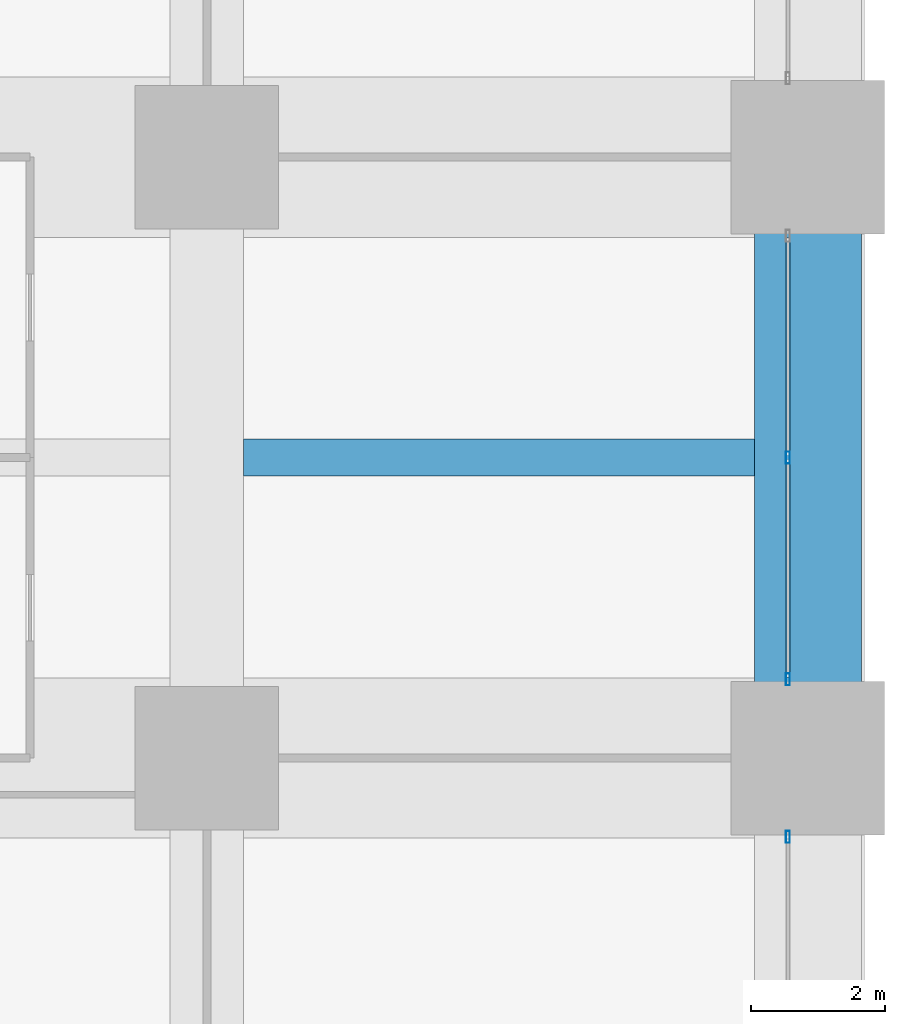
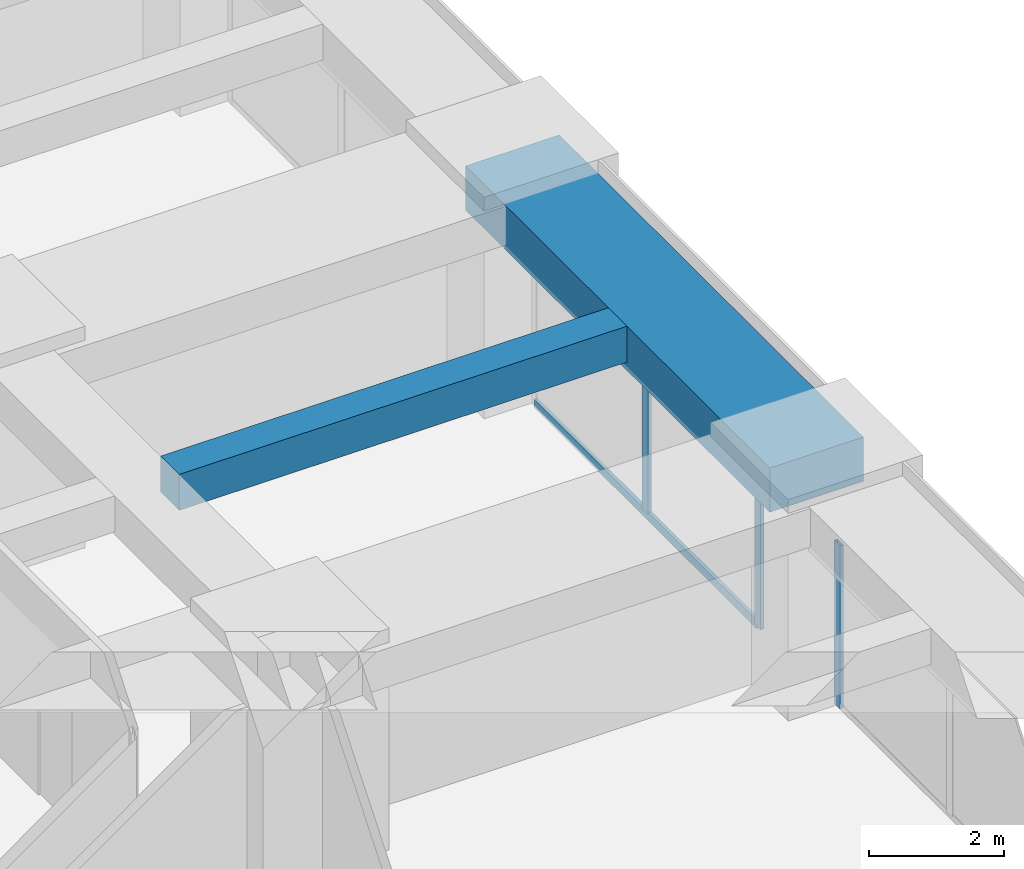
# One storey, part 20 of 43: 4 members, 2 beams, 2 elements without a shape of their own.
"""IFC4 building model written with IfcOpenShell, lengths in metres."""

import ifcopenshell
import ifcopenshell.guid

model = None  # the IFC model being written
_history = None  # IfcOwnerHistory: only IFC2X3 demands one
_inside = {}  # id of a spatial element -> (the spatial element, [elements in it])
_under = {}  # id of a project, library or spatial element -> (it, [spatial elements below it])
_declared = {}  # id of a project -> (the project, [libraries it declares])
_typed = {}  # id of a type object -> (the type object, [elements of that type])
_made_of = {}  # id of a material, layer set ... -> (it, [elements and type objects made of it])


def new_model(schema):
    """Start an empty IFC model of exactly this schema.

    Asked for "IFC4X3", IfcOpenShell would pick the latest addendum, in which some entities
    have other attributes; the version numbers below select the first issue.
    IFC2X3 requires an IfcOwnerHistory on every rooted entity: one is made here for all.
    """
    global model, _history
    if schema == "IFC4X3":
        model = ifcopenshell.file(schema_version=(4, 3, 0, 0))
    else:
        model = ifcopenshell.file(schema=schema)
    _inside.clear()
    _under.clear()
    _declared.clear()
    _typed.clear()
    _made_of.clear()
    _history = None
    if model.schema == "IFC2X3":
        org = make("IfcOrganization", Name="unknown")
        user = make(
            "IfcPersonAndOrganization",
            ThePerson=make("IfcPerson", FamilyName="unknown"),
            TheOrganization=org,
        )
        app = make(
            "IfcApplication",
            ApplicationDeveloper=org,
            Version="unknown",
            ApplicationFullName="unknown",
            ApplicationIdentifier="unknown",
        )
        _history = make(
            "IfcOwnerHistory",
            OwningUser=user,
            OwningApplication=app,
            ChangeAction="ADDED",
            CreationDate=0,
        )
    return model


def make(cls, **values):
    """One entity of the class cls with the attributes given. An attribute that is None is left unset."""
    return model.create_entity(
        cls, **{name: value for name, value in values.items() if value is not None}
    )


def rooted(cls, **values):
    """An entity with a GlobalId (a new one), such as an element, a storey or a relation."""
    return make(cls, GlobalId=ifcopenshell.guid.new(), OwnerHistory=_history, **values)


def si_unit(unit_type, name, prefix=None):
    """IfcSIUnit, for example si_unit("LENGTHUNIT", "METRE", prefix="MILLI")."""
    return make("IfcSIUnit", UnitType=unit_type, Prefix=prefix, Name=name)


def assignment(units):
    """IfcUnitAssignment: the units of a project."""
    return None if units is None else make("IfcUnitAssignment", Units=units)


def point(xyz):
    """IfcCartesianPoint."""
    return None if xyz is None else make("IfcCartesianPoint", Coordinates=xyz)


def direction(xyz):
    """IfcDirection."""
    return None if xyz is None else make("IfcDirection", DirectionRatios=xyz)


def frame(location, z_axis=None, x_axis=None):
    """IfcAxis2Placement3D, a coordinate frame: its origin and axes. An axis left out is left unset."""
    return make(
        "IfcAxis2Placement3D",
        Location=point(location),
        Axis=direction(z_axis),
        RefDirection=direction(x_axis),
    )


def frame_2d(location, x_axis=None):
    """IfcAxis2Placement2D, a coordinate frame in the plane: its origin and x axis."""
    return make(
        "IfcAxis2Placement2D", Location=point(location), RefDirection=direction(x_axis)
    )


def origin():
    """The frame at (0, 0, 0) with its axes left unset."""
    return frame((0.0, 0.0, 0.0))


def origin_2d():
    """The frame at (0, 0) in the plane with its x axis left unset."""
    return frame_2d((0.0, 0.0))


def place(relative_to, where):
    """IfcLocalPlacement: puts the frame where relative to a parent placement (None: the world)."""
    return make(
        "IfcLocalPlacement", PlacementRelTo=relative_to, RelativePlacement=where
    )


def context(
    kind, dimensions, precision=None, world=None, true_north=None, identifier=None
):
    """IfcGeometricRepresentationContext, for example the 3D "Model" context."""
    return make(
        "IfcGeometricRepresentationContext",
        ContextIdentifier=identifier,
        ContextType=kind,
        CoordinateSpaceDimension=dimensions,
        Precision=precision,
        WorldCoordinateSystem=world,
        TrueNorth=true_north,
    )


def subcontext(parent, identifier, kind, view, scale=None):
    """IfcGeometricRepresentationSubContext, for example "Body" below "Model"."""
    return make(
        "IfcGeometricRepresentationSubContext",
        ContextIdentifier=identifier,
        ContextType=kind,
        ParentContext=parent,
        TargetScale=scale,
        TargetView=view,
    )


def project(units=None, contexts=None):
    """IfcProject with its units and contexts."""
    return rooted(
        "IfcProject",
        Name="project",
        RepresentationContexts=contexts,
        UnitsInContext=assignment(units),
    )


def spatial(cls, under=None, at=None, **own):
    """A site, building, storey or space (cls), placed at a placement, below another one or the project."""
    s = rooted(cls, ObjectPlacement=at, **own)
    if under is not None:
        _under.setdefault(under.id(), (under, []))[1].append(s)
    return s


def profile(cls, at=None, kind="AREA", **sizes):
    """A parametric profile (cls). Its sizes go by their IFC names, for example OverallWidth=200.0."""
    return make(cls, ProfileType=kind, Position=at, **sizes)


def rectangle(**sizes):
    """IfcRectangleProfileDef."""
    return profile("IfcRectangleProfileDef", **sizes)


def hollow_rectangle(**sizes):
    """IfcRectangleHollowProfileDef."""
    return profile("IfcRectangleHollowProfileDef", **sizes)


def extrude(swept, where, along, depth):
    """IfcExtrudedAreaSolid: the profile swept, set in the frame where, extruded along a direction by depth."""
    return make(
        "IfcExtrudedAreaSolid",
        SweptArea=swept,
        Position=where,
        ExtrudedDirection=direction(along),
        Depth=depth,
    )


def shape(context_of_items, identifier, shape_type, items):
    """IfcShapeRepresentation: the items that make up one representation, for example the "Body"."""
    return make(
        "IfcShapeRepresentation",
        ContextOfItems=context_of_items,
        RepresentationIdentifier=identifier,
        RepresentationType=shape_type,
        Items=items,
    )


def material(Name=None, Category=None):
    """IfcMaterial."""
    return make("IfcMaterial", Name=Name, Category=Category)


def material_profile(
    of_material, cross_section, Name=None, Category=None, Priority=None
):
    """IfcMaterialProfile: a cross section and its material."""
    return make(
        "IfcMaterialProfile",
        Name=Name,
        Material=of_material,
        Profile=cross_section,
        Priority=Priority,
        Category=Category,
    )


def profile_set(profiles, Name=None, composite=None):
    """IfcMaterialProfileSet."""
    return make(
        "IfcMaterialProfileSet",
        Name=Name,
        MaterialProfiles=profiles,
        CompositeProfile=composite,
    )


def made_of(thing, what):
    """Note that an element or type object is made of a material, layer set ...; save() writes the relation."""
    if what is not None:
        _made_of.setdefault(what.id(), (what, []))[1].append(thing)
    return thing


def type_object(cls, material=None, **own):
    """A type object (cls), such as IfcWallType, which elements share."""
    return made_of(rooted(cls, **own), material)


def element(
    cls,
    number,
    at=None,
    inside=None,
    cuts=None,
    type_object=None,
    material=None,
    context=None,
    identifier="Body",
    shape_type=None,
    held_by="IfcProductDefinitionShape",
    body=None,
    shapes=None,
    **own,
):
    """One element of the class cls, such as IfcWall. Its Tag is "e" and its number.

    at: its placement. inside: the storey or other place that contains it. cuts: it is an
    opening in that element (IfcRelVoidsElement). A single representation is given by context,
    identifier, shape_type and body (its items); several are given by shapes. held_by: the class
    of the entity that holds the representations. save() writes the other relations.
    """
    e = rooted(cls, Tag="e%d" % number, ObjectPlacement=at, **own)
    if body is not None:
        shapes = [shape(context, identifier, shape_type, body)]
    if shapes is not None:
        e.Representation = make(held_by, Representations=shapes)
    if inside is not None:
        _inside.setdefault(inside.id(), (inside, []))[1].append(e)
    if cuts is not None:
        rooted(
            "IfcRelVoidsElement", RelatingBuildingElement=cuts, RelatedOpeningElement=e
        )
    if type_object is not None:
        _typed.setdefault(type_object.id(), (type_object, []))[1].append(e)
    return made_of(e, material)


def aggregate(whole, parts):
    """IfcRelAggregates: a whole, such as a stair, and the parts it consists of."""
    return rooted("IfcRelAggregates", RelatingObject=whole, RelatedObjects=parts)


def save(model, path):
    """Write the relations noted so far, then the file.

    IfcRelAggregates (storeys below a building ...), IfcRelContainedInSpatialStructure (elements
    in a storey), IfcRelDefinesByType, IfcRelAssociatesMaterial and IfcRelDeclares: one each for
    every whole, place, type object, material and project.
    """
    for whole, parts in _under.values():
        aggregate(whole, parts)
    for where, things in _inside.values():
        rooted(
            "IfcRelContainedInSpatialStructure",
            RelatedElements=things,
            RelatingStructure=where,
        )
    for kind, things in _typed.values():
        rooted("IfcRelDefinesByType", RelatedObjects=things, RelatingType=kind)
    for what, things in _made_of.values():
        rooted("IfcRelAssociatesMaterial", RelatedObjects=things, RelatingMaterial=what)
    for by, libraries in _declared.values():
        rooted("IfcRelDeclares", RelatingContext=by, RelatedDefinitions=libraries)
    model.write(path)


model = new_model("IFC4")

# Units and contexts
model_context = context("Model", 3, precision=1e-05, world=origin(), true_north=direction((0.0, 1.0)))
body_context = subcontext(model_context, "Body", "Model", "MODEL_VIEW")
ifc_project = project(units=[si_unit("LENGTHUNIT", "METRE"), si_unit("AREAUNIT", "SQUARE_METRE"), si_unit("VOLUMEUNIT", "CUBIC_METRE"), si_unit("PLANEANGLEUNIT", "RADIAN"), si_unit("MASSUNIT", "GRAM", prefix="KILO")], contexts=[model_context])

# Site, building, storey
site_placement = place(None, origin())
site = spatial("IfcSite", under=ifc_project, at=site_placement, CompositionType="ELEMENT")
building_placement = place(site_placement, origin())
building = spatial("IfcBuilding", under=site, at=building_placement, Name="Zorevar Civic Tower", CompositionType="ELEMENT")
storey_placement = place(building_placement, frame((0.0, 0.0, 67.800048828125)))
storey = spatial("IfcBuildingStorey", under=building, at=storey_placement, Name="L16", CompositionType="ELEMENT", Elevation=67.800048828125)

# Beam
ifc_material_1 = material(Name="Concrete C50/60", Category="concrete")
ifc_material_profile_1 = material_profile(ifc_material_1, rectangle(XDim=0.550048828125, YDim=0.64990234375, at=origin_2d()), Name="RC 550x650")
ifc_profile_set_1 = profile_set([ifc_material_profile_1], Name="Concrete C50/60")
beam_type_1 = type_object("IfcBeamType", Name="Beam RC 550x650", PredefinedType="BEAM", material=ifc_profile_set_1)
beam_1_placement = place(storey_placement, frame((54.550048828125, 22.5, 3.425048828125), z_axis=(1.0, 0.0, 0.0), x_axis=(0.0, 1.0, 0.0)))
element("IfcBeam", 1, at=beam_1_placement, inside=storey, type_object=beam_type_1, Name="Secondary beam L17", PredefinedType="BEAM", context=body_context, shape_type="SweptSolid", body=[
    extrude(rectangle(XDim=0.550048828125, YDim=0.64990234375, at=origin_2d()), origin(), (0.0, 0.0, 1.0), 7.64990234375),
])

# Curtain wall, member
ifc_material_2 = material(Name="Dark grey solar-control glass in black aluminium frame", Category="aluminium")
curtain_wall_type = type_object("IfcCurtainWallType", Name="Curtain wall CW2 low zone", PredefinedType="NOTDEFINED", material=ifc_material_2)
curtain_wall_1_placement = place(storey_placement, origin())
curtain_wall_1 = element("IfcCurtainWall", 2, at=curtain_wall_1_placement, inside=storey, type_object=curtain_wall_type, Name="CW2 L16", PredefinedType="NOTDEFINED")
ifc_material_3 = material(Name="Aluminium, black anodised", Category="aluminium")
ifc_material_profile_2 = material_profile(ifc_material_3, hollow_rectangle(XDim=0.06005859375, YDim=0.179931640625, WallThickness=0.00390625, at=origin_2d()), Name="AL 180x60x4")
ifc_profile_set_2 = profile_set([ifc_material_profile_2], Name="Aluminium, black anodised")
member_type_1 = type_object("IfcMemberType", Name="CW2 mullion AL 180x60x4", PredefinedType="MULLION", material=ifc_profile_set_2)
member_1_placement = place(storey_placement, frame((62.699951171875, 16.820068359375, 0.0), z_axis=(0.0, 0.0, 1.0), x_axis=(-1.0, 0.0, 0.0)))
member_1 = element("IfcMember", 3, at=member_1_placement, type_object=member_type_1, Name="CW2 mullion 3", PredefinedType="MULLION", context=body_context, shape_type="SweptSolid", body=[
    extrude(hollow_rectangle(XDim=0.06005859375, YDim=0.179931640625, WallThickness=0.00390625, at=origin_2d()), origin(), (0.0, 0.0, 1.0), 2.949951171875),
])
aggregate(curtain_wall_1, [member_1])

# Curtain wall, members
curtain_wall_2_placement = place(storey_placement, origin())
curtain_wall_2 = element("IfcCurtainWall", 4, at=curtain_wall_2_placement, inside=storey, type_object=curtain_wall_type, Name="CW2 L16", PredefinedType="NOTDEFINED")
member_2_placement = place(storey_placement, frame((62.699951171875, 19.179931640625, 0.0), z_axis=(0.0, 0.0, 1.0), x_axis=(-1.0, 0.0, 0.0)))
member_2 = element("IfcMember", 5, at=member_2_placement, type_object=member_type_1, Name="CW2 mullion 1", PredefinedType="MULLION", context=body_context, shape_type="SweptSolid", body=[
    extrude(hollow_rectangle(XDim=0.06005859375, YDim=0.179931640625, WallThickness=0.00390625, at=origin_2d()), origin(), (0.0, 0.0, 1.0), 2.949951171875),
])
member_3_placement = place(storey_placement, frame((62.699951171875, 22.5, 0.06005859375), z_axis=(0.0, 0.0, 1.0), x_axis=(-1.0, 0.0, 0.0)))
member_3 = element("IfcMember", 6, at=member_3_placement, type_object=member_type_1, Name="CW2 mullion 2", PredefinedType="MULLION", context=body_context, shape_type="SweptSolid", body=[
    extrude(hollow_rectangle(XDim=0.06005859375, YDim=0.179931640625, WallThickness=0.00390625, at=origin_2d()), origin(), (0.0, 0.0, 1.0), 2.889892578125),
])
ifc_material_4 = material(Name="Aluminium, black anodised", Category="aluminium")
ifc_material_profile_3 = material_profile(ifc_material_4, hollow_rectangle(XDim=0.06005859375, YDim=0.14990234375, WallThickness=0.00390625, at=origin_2d()), Name="AL 150x60x4")
ifc_profile_set_3 = profile_set([ifc_material_profile_3], Name="Aluminium, black anodised")
member_type_2 = type_object("IfcMemberType", Name="CW2 transom AL 150x60x4", PredefinedType="USERDEFINED", material=ifc_profile_set_3)
member_4_placement = place(storey_placement, frame((62.699951171875, 19.2099609375, 0.030029296875), z_axis=(0.0, 1.0, 0.0), x_axis=(-1.0, 0.0, 0.0)))
member_4 = element("IfcMember", 7, at=member_4_placement, type_object=member_type_2, Name="CW2 sill transom", ObjectType="TRANSOM", PredefinedType="USERDEFINED", context=body_context, shape_type="SweptSolid", body=[
    extrude(hollow_rectangle(XDim=0.06005859375, YDim=0.14990234375, WallThickness=0.00390625, at=origin_2d()), origin(), (0.0, 0.0, 1.0), 6.580078125),
])
aggregate(curtain_wall_2, [member_2, member_3, member_4])

# Beam
ifc_material_5 = material(Name="Concrete C50/60", Category="concrete")
ifc_material_profile_4 = material_profile(ifc_material_5, rectangle(XDim=1.60009765625, YDim=0.800048828125, at=origin_2d()), Name="RC 1600x800")
ifc_profile_set_4 = profile_set([ifc_material_profile_4], Name="Concrete C50/60")
beam_type_2 = type_object("IfcBeamType", Name="Edge beam RC 1600x800", PredefinedType="SPANDREL", material=ifc_profile_set_4)
beam_2_placement = place(storey_placement, frame((63.0, 18.0, 3.349853515625), z_axis=(0.0, 1.0, 0.0), x_axis=(-1.0, 0.0, 0.0)))
element("IfcBeam", 8, at=beam_2_placement, inside=storey, type_object=beam_type_2, Name="Edge beam L17", PredefinedType="SPANDREL", context=body_context, shape_type="SweptSolid", body=[
    extrude(rectangle(XDim=1.60009765625, YDim=0.800048828125, at=origin_2d()), origin(), (0.0, 0.0, 1.0), 9.0),
])

save(model, "model.ifc")
